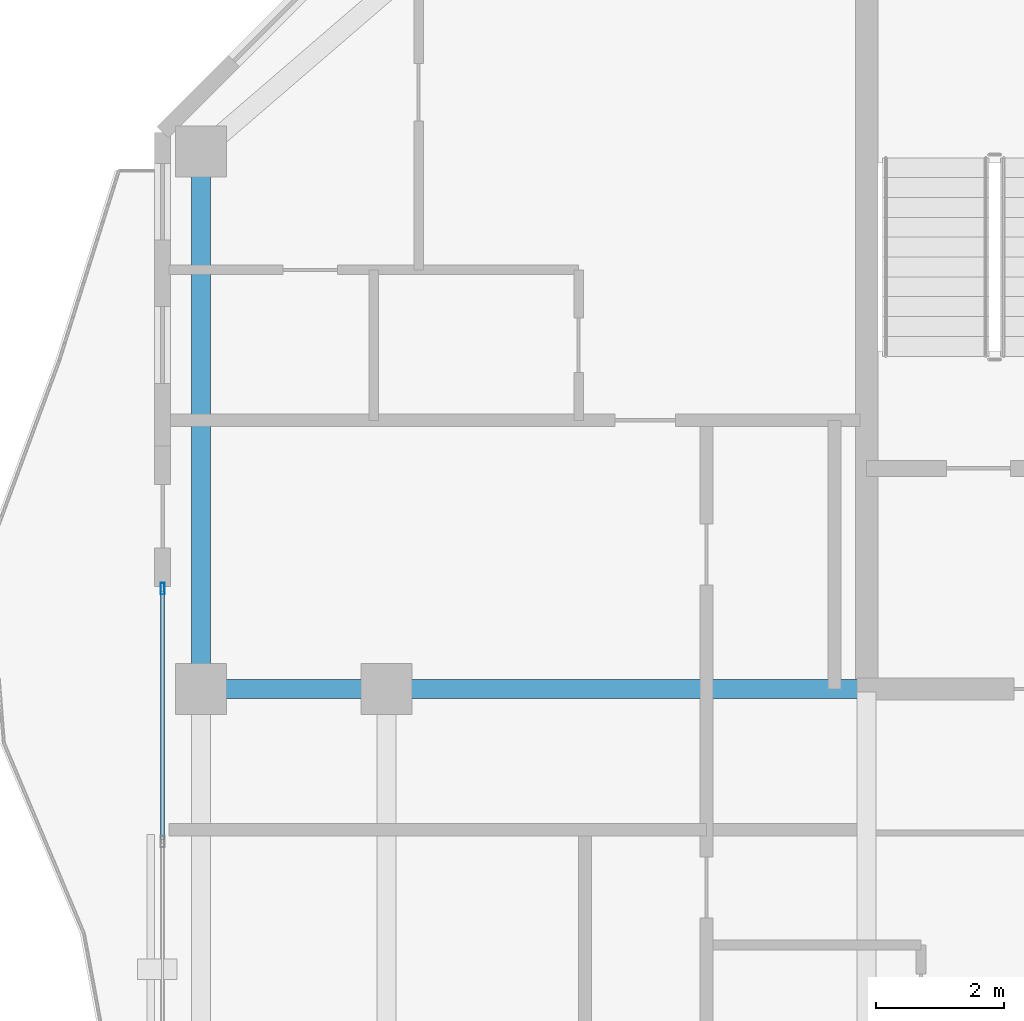
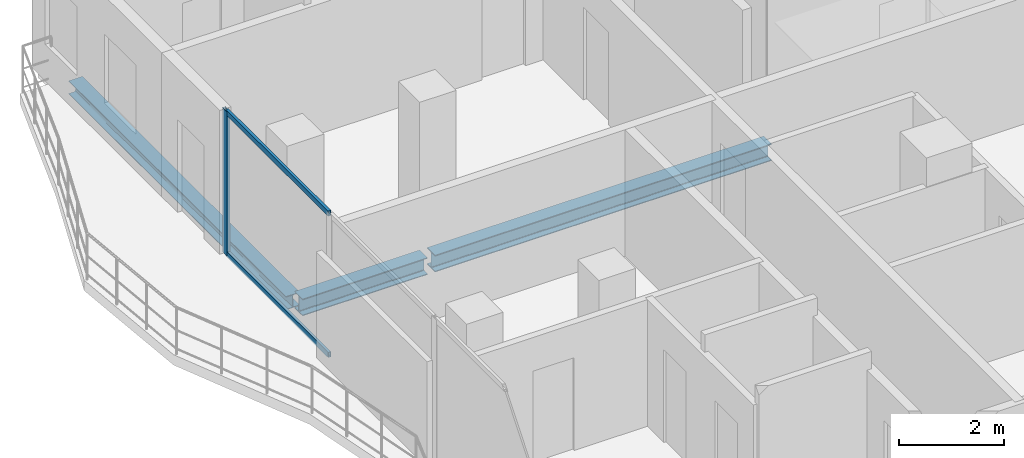
# One storey, part 9 of 23: 3 beams, 3 members, 1 element without a shape of its own.
"""IFC4 building model written with IfcOpenShell, lengths in metres."""

import ifcopenshell
import ifcopenshell.guid

model = None  # the IFC model being written
_history = None  # IfcOwnerHistory: only IFC2X3 demands one
_inside = {}  # id of a spatial element -> (the spatial element, [elements in it])
_under = {}  # id of a project, library or spatial element -> (it, [spatial elements below it])
_declared = {}  # id of a project -> (the project, [libraries it declares])
_typed = {}  # id of a type object -> (the type object, [elements of that type])
_made_of = {}  # id of a material, layer set ... -> (it, [elements and type objects made of it])


def new_model(schema):
    """Start an empty IFC model of exactly this schema.

    Asked for "IFC4X3", IfcOpenShell would pick the latest addendum, in which some entities
    have other attributes; the version numbers below select the first issue.
    IFC2X3 requires an IfcOwnerHistory on every rooted entity: one is made here for all.
    """
    global model, _history
    if schema == "IFC4X3":
        model = ifcopenshell.file(schema_version=(4, 3, 0, 0))
    else:
        model = ifcopenshell.file(schema=schema)
    _inside.clear()
    _under.clear()
    _declared.clear()
    _typed.clear()
    _made_of.clear()
    _history = None
    if model.schema == "IFC2X3":
        org = make("IfcOrganization", Name="unknown")
        user = make(
            "IfcPersonAndOrganization",
            ThePerson=make("IfcPerson", FamilyName="unknown"),
            TheOrganization=org,
        )
        app = make(
            "IfcApplication",
            ApplicationDeveloper=org,
            Version="unknown",
            ApplicationFullName="unknown",
            ApplicationIdentifier="unknown",
        )
        _history = make(
            "IfcOwnerHistory",
            OwningUser=user,
            OwningApplication=app,
            ChangeAction="ADDED",
            CreationDate=0,
        )
    return model


def make(cls, **values):
    """One entity of the class cls with the attributes given. An attribute that is None is left unset."""
    return model.create_entity(
        cls, **{name: value for name, value in values.items() if value is not None}
    )


def rooted(cls, **values):
    """An entity with a GlobalId (a new one), such as an element, a storey or a relation."""
    return make(cls, GlobalId=ifcopenshell.guid.new(), OwnerHistory=_history, **values)


def si_unit(unit_type, name, prefix=None):
    """IfcSIUnit, for example si_unit("LENGTHUNIT", "METRE", prefix="MILLI")."""
    return make("IfcSIUnit", UnitType=unit_type, Prefix=prefix, Name=name)


def assignment(units):
    """IfcUnitAssignment: the units of a project."""
    return None if units is None else make("IfcUnitAssignment", Units=units)


def point(xyz):
    """IfcCartesianPoint."""
    return None if xyz is None else make("IfcCartesianPoint", Coordinates=xyz)


def direction(xyz):
    """IfcDirection."""
    return None if xyz is None else make("IfcDirection", DirectionRatios=xyz)


def frame(location, z_axis=None, x_axis=None):
    """IfcAxis2Placement3D, a coordinate frame: its origin and axes. An axis left out is left unset."""
    return make(
        "IfcAxis2Placement3D",
        Location=point(location),
        Axis=direction(z_axis),
        RefDirection=direction(x_axis),
    )


def frame_2d(location, x_axis=None):
    """IfcAxis2Placement2D, a coordinate frame in the plane: its origin and x axis."""
    return make(
        "IfcAxis2Placement2D", Location=point(location), RefDirection=direction(x_axis)
    )


def origin():
    """The frame at (0, 0, 0) with its axes left unset."""
    return frame((0.0, 0.0, 0.0))


def origin_2d():
    """The frame at (0, 0) in the plane with its x axis left unset."""
    return frame_2d((0.0, 0.0))


def place(relative_to, where):
    """IfcLocalPlacement: puts the frame where relative to a parent placement (None: the world)."""
    return make(
        "IfcLocalPlacement", PlacementRelTo=relative_to, RelativePlacement=where
    )


def context(
    kind, dimensions, precision=None, world=None, true_north=None, identifier=None
):
    """IfcGeometricRepresentationContext, for example the 3D "Model" context."""
    return make(
        "IfcGeometricRepresentationContext",
        ContextIdentifier=identifier,
        ContextType=kind,
        CoordinateSpaceDimension=dimensions,
        Precision=precision,
        WorldCoordinateSystem=world,
        TrueNorth=true_north,
    )


def subcontext(parent, identifier, kind, view, scale=None):
    """IfcGeometricRepresentationSubContext, for example "Body" below "Model"."""
    return make(
        "IfcGeometricRepresentationSubContext",
        ContextIdentifier=identifier,
        ContextType=kind,
        ParentContext=parent,
        TargetScale=scale,
        TargetView=view,
    )


def project(units=None, contexts=None):
    """IfcProject with its units and contexts."""
    return rooted(
        "IfcProject",
        Name="project",
        RepresentationContexts=contexts,
        UnitsInContext=assignment(units),
    )


def spatial(cls, under=None, at=None, **own):
    """A site, building, storey or space (cls), placed at a placement, below another one or the project."""
    s = rooted(cls, ObjectPlacement=at, **own)
    if under is not None:
        _under.setdefault(under.id(), (under, []))[1].append(s)
    return s


def profile(cls, at=None, kind="AREA", **sizes):
    """A parametric profile (cls). Its sizes go by their IFC names, for example OverallWidth=200.0."""
    return make(cls, ProfileType=kind, Position=at, **sizes)


def hollow_rectangle(**sizes):
    """IfcRectangleHollowProfileDef."""
    return profile("IfcRectangleHollowProfileDef", **sizes)


def i_section(**sizes):
    """IfcIShapeProfileDef."""
    return profile("IfcIShapeProfileDef", **sizes)


def extrude(swept, where, along, depth):
    """IfcExtrudedAreaSolid: the profile swept, set in the frame where, extruded along a direction by depth."""
    return make(
        "IfcExtrudedAreaSolid",
        SweptArea=swept,
        Position=where,
        ExtrudedDirection=direction(along),
        Depth=depth,
    )


def shape(context_of_items, identifier, shape_type, items):
    """IfcShapeRepresentation: the items that make up one representation, for example the "Body"."""
    return make(
        "IfcShapeRepresentation",
        ContextOfItems=context_of_items,
        RepresentationIdentifier=identifier,
        RepresentationType=shape_type,
        Items=items,
    )


def material(Name=None, Category=None):
    """IfcMaterial."""
    return make("IfcMaterial", Name=Name, Category=Category)


def layer(
    of_material, thickness, ventilated=None, Name=None, Category=None, Priority=None
):
    """IfcMaterialLayer: one layer of a wall or slab, of a material (None: an air gap)."""
    return make(
        "IfcMaterialLayer",
        Material=of_material,
        LayerThickness=thickness,
        IsVentilated=ventilated,
        Name=Name,
        Category=Category,
        Priority=Priority,
    )


def layer_set(layers, Name=None):
    """IfcMaterialLayerSet."""
    return make("IfcMaterialLayerSet", MaterialLayers=layers, LayerSetName=Name)


def material_profile(
    of_material, cross_section, Name=None, Category=None, Priority=None
):
    """IfcMaterialProfile: a cross section and its material."""
    return make(
        "IfcMaterialProfile",
        Name=Name,
        Material=of_material,
        Profile=cross_section,
        Priority=Priority,
        Category=Category,
    )


def profile_set(profiles, Name=None, composite=None):
    """IfcMaterialProfileSet."""
    return make(
        "IfcMaterialProfileSet",
        Name=Name,
        MaterialProfiles=profiles,
        CompositeProfile=composite,
    )


def made_of(thing, what):
    """Note that an element or type object is made of a material, layer set ...; save() writes the relation."""
    if what is not None:
        _made_of.setdefault(what.id(), (what, []))[1].append(thing)
    return thing


def type_object(cls, material=None, **own):
    """A type object (cls), such as IfcWallType, which elements share."""
    return made_of(rooted(cls, **own), material)


def element(
    cls,
    number,
    at=None,
    inside=None,
    cuts=None,
    type_object=None,
    material=None,
    context=None,
    identifier="Body",
    shape_type=None,
    held_by="IfcProductDefinitionShape",
    body=None,
    shapes=None,
    **own,
):
    """One element of the class cls, such as IfcWall. Its Tag is "e" and its number.

    at: its placement. inside: the storey or other place that contains it. cuts: it is an
    opening in that element (IfcRelVoidsElement). A single representation is given by context,
    identifier, shape_type and body (its items); several are given by shapes. held_by: the class
    of the entity that holds the representations. save() writes the other relations.
    """
    e = rooted(cls, Tag="e%d" % number, ObjectPlacement=at, **own)
    if body is not None:
        shapes = [shape(context, identifier, shape_type, body)]
    if shapes is not None:
        e.Representation = make(held_by, Representations=shapes)
    if inside is not None:
        _inside.setdefault(inside.id(), (inside, []))[1].append(e)
    if cuts is not None:
        rooted(
            "IfcRelVoidsElement", RelatingBuildingElement=cuts, RelatedOpeningElement=e
        )
    if type_object is not None:
        _typed.setdefault(type_object.id(), (type_object, []))[1].append(e)
    return made_of(e, material)


def aggregate(whole, parts):
    """IfcRelAggregates: a whole, such as a stair, and the parts it consists of."""
    return rooted("IfcRelAggregates", RelatingObject=whole, RelatedObjects=parts)


def save(model, path):
    """Write the relations noted so far, then the file.

    IfcRelAggregates (storeys below a building ...), IfcRelContainedInSpatialStructure (elements
    in a storey), IfcRelDefinesByType, IfcRelAssociatesMaterial and IfcRelDeclares: one each for
    every whole, place, type object, material and project.
    """
    for whole, parts in _under.values():
        aggregate(whole, parts)
    for where, things in _inside.values():
        rooted(
            "IfcRelContainedInSpatialStructure",
            RelatedElements=things,
            RelatingStructure=where,
        )
    for kind, things in _typed.values():
        rooted("IfcRelDefinesByType", RelatedObjects=things, RelatingType=kind)
    for what, things in _made_of.values():
        rooted("IfcRelAssociatesMaterial", RelatedObjects=things, RelatingMaterial=what)
    for by, libraries in _declared.values():
        rooted("IfcRelDeclares", RelatingContext=by, RelatedDefinitions=libraries)
    model.write(path)


model = new_model("IFC4")

# Units and contexts
model_context = context("Model", 3, precision=1e-05, world=origin(), true_north=direction((0.0, 1.0)))
body_context = subcontext(model_context, "Body", "Model", "MODEL_VIEW")
ifc_project = project(units=[si_unit("LENGTHUNIT", "METRE"), si_unit("AREAUNIT", "SQUARE_METRE"), si_unit("VOLUMEUNIT", "CUBIC_METRE"), si_unit("PLANEANGLEUNIT", "RADIAN"), si_unit("MASSUNIT", "GRAM", prefix="KILO")], contexts=[model_context])

# Site, building, storey
site_placement = place(None, origin())
site = spatial("IfcSite", under=ifc_project, at=site_placement, CompositionType="ELEMENT")
building_placement = place(site_placement, origin())
building = spatial("IfcBuilding", under=site, at=building_placement, Name="Catumbela Crestline Tower", CompositionType="ELEMENT")
storey_placement = place(building_placement, frame((0.0, 0.0, 165.0)))
storey = spatial("IfcBuildingStorey", under=building, at=storey_placement, Name="L42", CompositionType="ELEMENT", Elevation=165.0)

# Beams
ifc_material_1 = material(Name="Structural steel S355J2", Category="steel")
ifc_material_profile_1 = material_profile(ifc_material_1, i_section(OverallWidth=0.3, OverallDepth=0.39, WebThickness=0.011, FlangeThickness=0.019, FilletRadius=0.027, at=origin_2d()), Name="HEA 400")
ifc_profile_set_1 = profile_set([ifc_material_profile_1], Name="Structural steel S355J2")
beam_type_1 = type_object("IfcBeamType", Name="BG-HEA400", PredefinedType="BEAM", material=ifc_profile_set_1)
beam_1_placement = place(storey_placement, frame((5.68, 30.8, -0.455), z_axis=(1.0, 0.0, 0.0), x_axis=(0.0, 1.0, 0.0)))
element("IfcBeam", 1, at=beam_1_placement, inside=storey, type_object=beam_type_1, Name="L42 Beam BM-L42-M06", PredefinedType="BEAM", context=body_context, shape_type="SweptSolid", body=[
    extrude(i_section(OverallWidth=0.3, OverallDepth=0.39, WebThickness=0.011, FlangeThickness=0.019, FilletRadius=0.027, at=origin_2d()), origin(), (0.0, 0.0, 1.0), 2.74),
])
beam_2_placement = place(storey_placement, frame((8.58, 30.8, -0.455), z_axis=(1.0, 0.0, 0.0), x_axis=(0.0, 1.0, 0.0)))
element("IfcBeam", 2, at=beam_2_placement, inside=storey, type_object=beam_type_1, Name="L42 Beam BM-L42-M07", PredefinedType="BEAM", context=body_context, shape_type="SweptSolid", body=[
    extrude(i_section(OverallWidth=0.3, OverallDepth=0.39, WebThickness=0.011, FlangeThickness=0.019, FilletRadius=0.027, at=origin_2d()), origin(), (0.0, 0.0, 1.0), 7.37),
])

# Curtain wall, member
ifc_material_2 = material(Name="Aluminium alloy AW-6060-T66", Category="aluminium")
ifc_layer = layer(ifc_material_2, 0.18, Name="Aluminium alloy AW-6060-T66")
ifc_layer_set = layer_set([ifc_layer], Name="Aluminium alloy AW-6060-T66")
curtain_wall_type = type_object("IfcCurtainWallType", Name="CWU-Z3", PredefinedType="USERDEFINED", material=ifc_layer_set)
curtain_wall_placement = place(storey_placement, origin())
curtain_wall = element("IfcCurtainWall", 3, at=curtain_wall_placement, inside=storey, type_object=curtain_wall_type, Name="L42 Unitised Curtain Wall CW-L42-E9S2", ObjectType="UNITISED", PredefinedType="USERDEFINED")
ifc_material_profile_2 = material_profile(ifc_material_2, hollow_rectangle(XDim=0.065, YDim=0.18, WallThickness=0.004, at=origin_2d()), Name="ALU 180x65x4")
ifc_profile_set_2 = profile_set([ifc_material_profile_2], Name="Aluminium alloy AW-6060-T66")
member_type_1 = type_object("IfcMemberType", Name="MUL-180X65", PredefinedType="MULLION", material=ifc_profile_set_2)
member_1_placement = place(storey_placement, frame((5.0, 32.3675, 0.0), z_axis=(0.0, 0.0, 1.0), x_axis=(1.0, 0.0, 0.0)))
member_1 = element("IfcMember", 4, at=member_1_placement, type_object=member_type_1, Name="CWU-Z3 mullion 1", PredefinedType="MULLION", context=body_context, shape_type="SweptSolid", body=[
    extrude(hollow_rectangle(XDim=0.065, YDim=0.18, WallThickness=0.004, at=origin_2d()), origin(), (0.0, 0.0, 1.0), 3.33),
])

# Beam
ifc_material_profile_3 = material_profile(ifc_material_1, i_section(OverallWidth=0.3, OverallDepth=0.31, WebThickness=0.009, FlangeThickness=0.0155, FilletRadius=0.027, at=origin_2d()), Name="HEA 320")
ifc_profile_set_3 = profile_set([ifc_material_profile_3], Name="Structural steel S355J2")
beam_type_2 = type_object("IfcBeamType", Name="BS-HEA320", PredefinedType="SPANDREL", material=ifc_profile_set_3)
beam_3_placement = place(storey_placement, frame((5.6, 30.88, -0.415), z_axis=(0.0, 1.0, 0.0), x_axis=(-1.0, 0.0, 0.0)))
element("IfcBeam", 5, at=beam_3_placement, inside=storey, type_object=beam_type_2, Name="L42 Spandrel SP-L42-SN15", PredefinedType="SPANDREL", context=body_context, shape_type="SweptSolid", body=[
    extrude(i_section(OverallWidth=0.3, OverallDepth=0.31, WebThickness=0.009, FlangeThickness=0.0155, FilletRadius=0.027, at=origin_2d()), origin(), (0.0, 0.0, 1.0), 8.24),
])

# Member
ifc_material_profile_4 = material_profile(ifc_material_2, hollow_rectangle(XDim=0.06, YDim=0.12, WallThickness=0.0035, at=origin_2d()), Name="ALU 120x60x3.5")
ifc_profile_set_4 = profile_set([ifc_material_profile_4], Name="Aluminium alloy AW-6060-T66")
member_type_2 = type_object("IfcMemberType", Name="TRN-120X60", PredefinedType="USERDEFINED", material=ifc_profile_set_4)
member_2_placement = place(storey_placement, frame((5.0, 32.335, 0.03), z_axis=(0.0, -1.0, 0.0), x_axis=(1.0, 0.0, 0.0)))
member_2 = element("IfcMember", 6, at=member_2_placement, type_object=member_type_2, Name="CWU-Z3 transom 1.1", ObjectType="TRANSOM", PredefinedType="USERDEFINED", context=body_context, shape_type="SweptSolid", body=[
    extrude(hollow_rectangle(XDim=0.06, YDim=0.12, WallThickness=0.0035, at=origin_2d()), origin(), (0.0, 0.0, 1.0), 3.8858),
])

member_3_placement = place(storey_placement, frame((5.0, 32.335, 3.3), z_axis=(0.0, -1.0, 0.0), x_axis=(1.0, 0.0, 0.0)))
member_3 = element("IfcMember", 7, at=member_3_placement, type_object=member_type_2, Name="CWU-Z3 transom 1.2", ObjectType="TRANSOM", PredefinedType="USERDEFINED", context=body_context, shape_type="SweptSolid", body=[
    extrude(hollow_rectangle(XDim=0.06, YDim=0.12, WallThickness=0.0035, at=origin_2d()), origin(), (0.0, 0.0, 1.0), 3.8858),
])

aggregate(curtain_wall, [member_1, member_2, member_3])

save(model, "model.ifc")
